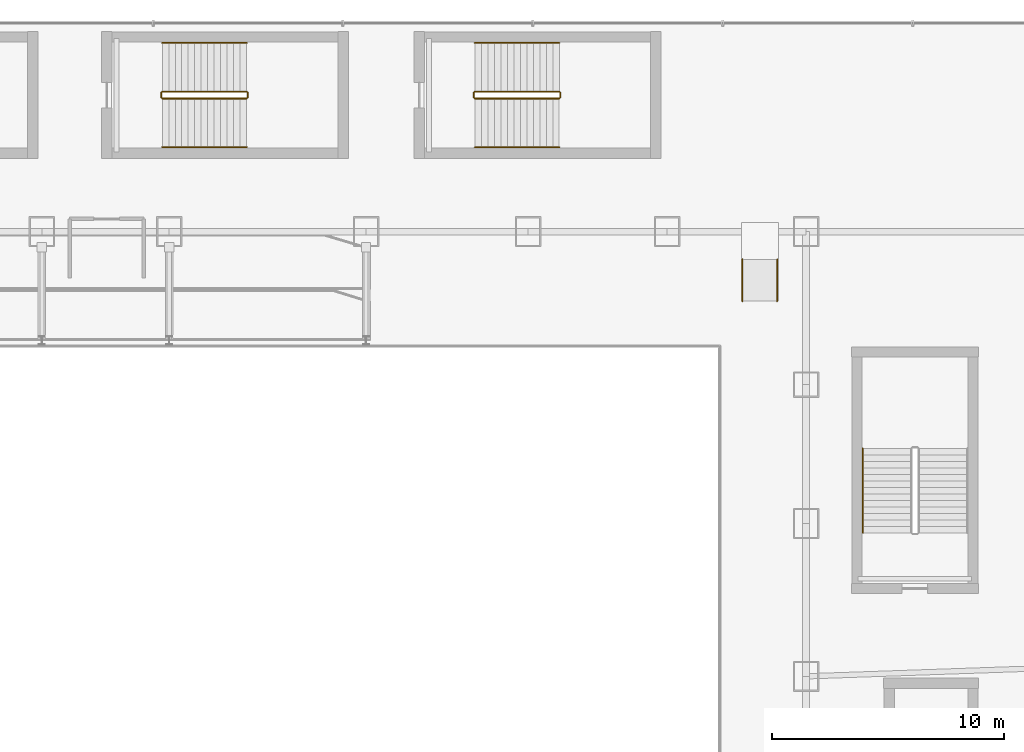
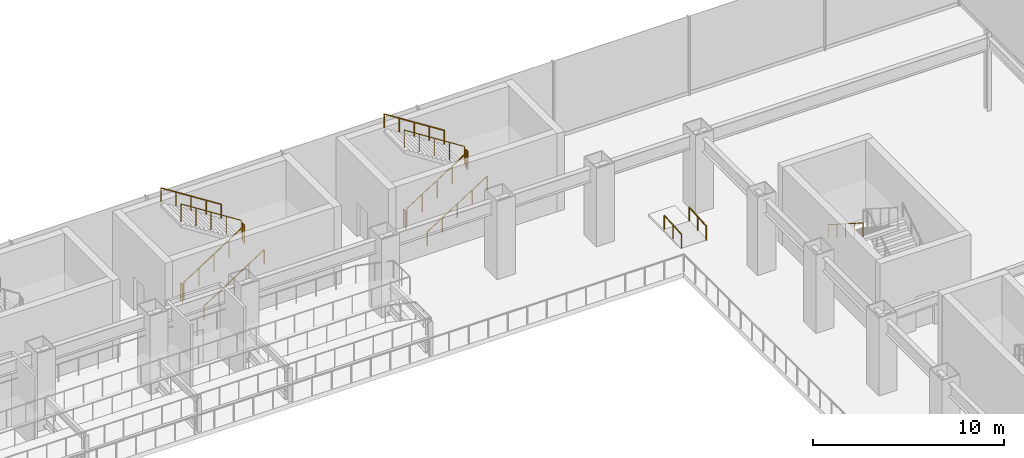
# One storey, part 37 of 39: 15 railings.
"""IFC4 building model written with IfcOpenShell, lengths in metres."""

from ifc_helpers import new_model, si_unit, derived_unit, direction, frame, origin, origin_2d, place, context, subcontext, project, spatial, circle, extrude, material, type_object, element, save


model = new_model("IFC4")

# Units and contexts
model_context = context("Model", 3, precision=1e-05, world=origin(), true_north=direction((0.0, 1.0)))
body_context = subcontext(model_context, "Body", "Model", "MODEL_VIEW")
ifc_project = project(units=[si_unit("LENGTHUNIT", "METRE"), si_unit("AREAUNIT", "SQUARE_METRE"), si_unit("VOLUMEUNIT", "CUBIC_METRE"), si_unit("PLANEANGLEUNIT", "RADIAN"), si_unit("MASSUNIT", "GRAM", prefix="KILO"), derived_unit("THERMALTRANSMITTANCEUNIT", [(si_unit("POWERUNIT", "WATT"), 1), (si_unit("LENGTHUNIT", "METRE"), -2), (si_unit("THERMODYNAMICTEMPERATUREUNIT", "KELVIN"), -1)])], contexts=[model_context])

# Site, building, storey
site_placement = place(None, origin())
site = spatial("IfcSite", under=ifc_project, at=site_placement, CompositionType="ELEMENT")
building_placement = place(site_placement, origin())
building = spatial("IfcBuilding", under=site, at=building_placement, Name="Skarnbrae Concourse Arena and Tower", CompositionType="ELEMENT")
storey_placement = place(building_placement, frame((0.0, 0.0, 16.0)))
storey = spatial("IfcBuildingStorey", under=building, at=storey_placement, Name="L03", CompositionType="ELEMENT", Elevation=16.0)

# Railings
ifc_material = material(Name="Steel CSA G40.21 350W", Category="steel")
railing_type_1 = type_object("IfcRailingType", Name="RAIL-HANDRAIL-900", PredefinedType="HANDRAIL", material=ifc_material)
railing_1_placement = place(storey_placement, frame((63.449951171875, 37.639892578125, 2.678466796875)))
element("IfcRailing", 1, at=railing_1_placement, inside=storey, type_object=railing_type_1, Name="L03 ST-A4 stair handrail 2", PredefinedType="HANDRAIL", context=body_context, shape_type="SweptSolid", body=[
    extrude(circle(Radius=0.02392578125, at=origin_2d()), frame((0.0, 0.0, 0.8759765625), z_axis=(0.0, -0.843111507901, 0.53773877045), x_axis=(1.0, 0.0, 0.0)), (0.0, 0.0, 1.0), 4.317138671875),
    extrude(circle(Radius=0.02099609375, at=origin_2d()), origin(), (0.0, 0.0, 1.0), 0.851806640625),
    extrude(circle(Radius=0.02099609375, at=origin_2d()), frame((0.0, -0.909912109375, 0.580322265625)), (0.0, 0.0, 1.0), 0.851806640625),
    extrude(circle(Radius=0.02099609375, at=origin_2d()), frame((0.0, -1.81982421875, 1.16064453125)), (0.0, 0.0, 1.0), 0.851806640625),
    extrude(circle(Radius=0.02099609375, at=origin_2d()), frame((0.0, -2.72998046875, 1.7412109375)), (0.0, 0.0, 1.0), 0.851806640625),
    extrude(circle(Radius=0.02099609375, at=origin_2d()), frame((0.0, -3.639892578125, 2.321533203125)), (0.0, 0.0, 1.0), 0.851806640625),
])
railing_2_placement = place(storey_placement, frame((33.199951171875, 50.64990234375, 0.178466796875)))
element("IfcRailing", 2, at=railing_2_placement, inside=storey, type_object=railing_type_1, Name="L03 ST-A7 stair handrail 1", PredefinedType="HANDRAIL", context=body_context, shape_type="SweptSolid", body=[
    extrude(circle(Radius=0.02392578125, at=origin_2d()), frame((0.0, 0.0, 0.8759765625), z_axis=(0.843127859045, 0.0, 0.537713132908), x_axis=(0.0, 1.0, 0.0)), (0.0, 0.0, 1.0), 4.3173828125),
    extrude(circle(Radius=0.02099609375, at=origin_2d()), origin(), (0.0, 0.0, 1.0), 0.851806640625),
    extrude(circle(Radius=0.02099609375, at=origin_2d()), frame((0.91015625, 0.0, 0.580322265625)), (0.0, 0.0, 1.0), 0.851806640625),
    extrude(circle(Radius=0.02099609375, at=origin_2d()), frame((1.820068359375, 0.0, 1.16064453125)), (0.0, 0.0, 1.0), 0.851806640625),
    extrude(circle(Radius=0.02099609375, at=origin_2d()), frame((2.72998046875, 0.0, 1.7412109375)), (0.0, 0.0, 1.0), 0.851806640625),
    extrude(circle(Radius=0.02099609375, at=origin_2d()), frame((3.64013671875, 0.0, 2.321533203125)), (0.0, 0.0, 1.0), 0.851806640625),
])
railing_3_placement = place(storey_placement, frame((36.840087890625, 55.14990234375, 2.678466796875)))
element("IfcRailing", 3, at=railing_3_placement, inside=storey, type_object=railing_type_1, Name="L03 ST-A7 stair handrail 2", PredefinedType="HANDRAIL", context=body_context, shape_type="SweptSolid", body=[
    extrude(circle(Radius=0.02392578125, at=origin_2d()), frame((0.0, 0.0, 0.8759765625), z_axis=(-0.843127859045, 0.0, 0.537713132908), x_axis=(0.0, -1.0, 0.0)), (0.0, 0.0, 1.0), 4.3173828125),
    extrude(circle(Radius=0.02099609375, at=origin_2d()), origin(), (0.0, 0.0, 1.0), 0.851806640625),
    extrude(circle(Radius=0.02099609375, at=origin_2d()), frame((-0.91015625, 0.0, 0.580322265625)), (0.0, 0.0, 1.0), 0.851806640625),
    extrude(circle(Radius=0.02099609375, at=origin_2d()), frame((-1.820068359375, 0.0, 1.16064453125)), (0.0, 0.0, 1.0), 0.851806640625),
    extrude(circle(Radius=0.02099609375, at=origin_2d()), frame((-2.72998046875, 0.0, 1.7412109375)), (0.0, 0.0, 1.0), 0.851806640625),
    extrude(circle(Radius=0.02099609375, at=origin_2d()), frame((-3.64013671875, 0.0, 2.321533203125)), (0.0, 0.0, 1.0), 0.851806640625),
])
railing_4_placement = place(storey_placement, frame((46.699951171875, 50.64990234375, 0.178466796875)))
element("IfcRailing", 4, at=railing_4_placement, inside=storey, type_object=railing_type_1, Name="L03 ST-A8 stair handrail 1", PredefinedType="HANDRAIL", context=body_context, shape_type="SweptSolid", body=[
    extrude(circle(Radius=0.02392578125, at=origin_2d()), frame((0.0, 0.0, 0.8759765625), z_axis=(0.843127859045, 0.0, 0.537713132908), x_axis=(0.0, 1.0, 0.0)), (0.0, 0.0, 1.0), 4.3173828125),
    extrude(circle(Radius=0.02099609375, at=origin_2d()), origin(), (0.0, 0.0, 1.0), 0.851806640625),
    extrude(circle(Radius=0.02099609375, at=origin_2d()), frame((0.91015625, 0.0, 0.580322265625)), (0.0, 0.0, 1.0), 0.851806640625),
    extrude(circle(Radius=0.02099609375, at=origin_2d()), frame((1.820068359375, 0.0, 1.16064453125)), (0.0, 0.0, 1.0), 0.851806640625),
    extrude(circle(Radius=0.02099609375, at=origin_2d()), frame((2.72998046875, 0.0, 1.7412109375)), (0.0, 0.0, 1.0), 0.851806640625),
    extrude(circle(Radius=0.02099609375, at=origin_2d()), frame((3.64013671875, 0.0, 2.321533203125)), (0.0, 0.0, 1.0), 0.851806640625),
])
railing_5_placement = place(storey_placement, frame((50.340087890625, 55.14990234375, 2.678466796875)))
element("IfcRailing", 5, at=railing_5_placement, inside=storey, type_object=railing_type_1, Name="L03 ST-A8 stair handrail 2", PredefinedType="HANDRAIL", context=body_context, shape_type="SweptSolid", body=[
    extrude(circle(Radius=0.02392578125, at=origin_2d()), frame((0.0, 0.0, 0.8759765625), z_axis=(-0.843127859045, 0.0, 0.537713132908), x_axis=(0.0, -1.0, 0.0)), (0.0, 0.0, 1.0), 4.3173828125),
    extrude(circle(Radius=0.02099609375, at=origin_2d()), origin(), (0.0, 0.0, 1.0), 0.851806640625),
    extrude(circle(Radius=0.02099609375, at=origin_2d()), frame((-0.91015625, 0.0, 0.580322265625)), (0.0, 0.0, 1.0), 0.851806640625),
    extrude(circle(Radius=0.02099609375, at=origin_2d()), frame((-1.820068359375, 0.0, 1.16064453125)), (0.0, 0.0, 1.0), 0.851806640625),
    extrude(circle(Radius=0.02099609375, at=origin_2d()), frame((-2.72998046875, 0.0, 1.7412109375)), (0.0, 0.0, 1.0), 0.851806640625),
    extrude(circle(Radius=0.02099609375, at=origin_2d()), frame((-3.64013671875, 0.0, 2.321533203125)), (0.0, 0.0, 1.0), 0.851806640625),
])
for number, where, name in (
    (6, (58.25, 44.0, 0.02001953125), "L03 Accessible ramp handrail W"),
    (7, (59.75, 44.0, 0.02001953125), "L03 Accessible ramp handrail E"),
):
    element("IfcRailing", number, at=place(storey_placement, frame(where)), inside=storey, type_object=railing_type_1, Name=name, PredefinedType="HANDRAIL", context=body_context, shape_type="SweptSolid", body=[
        extrude(circle(Radius=0.02392578125, at=origin_2d()), frame((0.0, 0.0, 0.8759765625), z_axis=(0.0, 0.997789945721, 0.06644715358), x_axis=(-1.0, 0.0, 0.0)), (0.0, 0.0, 1.0), 1.803955078125),
        extrude(circle(Radius=0.02099609375, at=origin_2d()), origin(), (0.0, 0.0, 1.0), 0.851806640625),
        extrude(circle(Radius=0.02099609375, at=origin_2d()), frame((0.0, 0.89990234375, 0.06005859375)), (0.0, 0.0, 1.0), 0.851806640625),
        extrude(circle(Radius=0.02099609375, at=origin_2d()), frame((0.0, 1.800048828125, 0.119873046875)), (0.0, 0.0, 1.0), 0.851806640625),
    ])
railing_type_2 = type_object("IfcRailingType", Name="RAIL-STAIR-GUARD-1150", PredefinedType="GUARDRAIL", material=ifc_material)
railing_6_placement = place(storey_placement, frame((33.199951171875, 52.75, 0.178466796875)))
element("IfcRailing", 8, at=railing_6_placement, inside=storey, type_object=railing_type_2, Name="L03 ST-A7 stair guard 1", PredefinedType="GUARDRAIL", context=body_context, shape_type="SweptSolid", body=[
    extrude(circle(Radius=0.02392578125, at=origin_2d()), frame((0.0, 0.0, 1.1259765625), z_axis=(0.843127859045, 0.0, 0.537713132908), x_axis=(0.0, 1.0, 0.0)), (0.0, 0.0, 1.0), 4.3173828125),
    extrude(circle(Radius=0.02099609375, at=origin_2d()), origin(), (0.0, 0.0, 1.0), 1.101806640625),
    extrude(circle(Radius=0.02099609375, at=origin_2d()), frame((0.91015625, 0.0, 0.580322265625)), (0.0, 0.0, 1.0), 1.101806640625),
    extrude(circle(Radius=0.02099609375, at=origin_2d()), frame((1.820068359375, 0.0, 1.16064453125)), (0.0, 0.0, 1.0), 1.101806640625),
    extrude(circle(Radius=0.02099609375, at=origin_2d()), frame((2.72998046875, 0.0, 1.7412109375)), (0.0, 0.0, 1.0), 1.101806640625),
    extrude(circle(Radius=0.02099609375, at=origin_2d()), frame((3.64013671875, 0.0, 2.321533203125)), (0.0, 0.0, 1.0), 1.101806640625),
])
railing_7_placement = place(storey_placement, frame((36.889892578125, 52.800048828125, 2.5)))
element("IfcRailing", 9, at=railing_7_placement, inside=storey, type_object=railing_type_2, Name="L03 ST-A7 stair guard 2", PredefinedType="GUARDRAIL", context=body_context, shape_type="SweptSolid", body=[
    extrude(circle(Radius=0.02392578125, at=origin_2d()), frame((0.0, 0.0, 1.1259765625), z_axis=(0.0, 1.0, 0.0), x_axis=(-1.0, 0.0, 0.0)), (0.0, 0.0, 1.0), 0.199951171875),
    extrude(circle(Radius=0.02099609375, at=origin_2d()), origin(), (0.0, 0.0, 1.0), 1.101806640625),
    extrude(circle(Radius=0.02099609375, at=origin_2d()), frame((0.0, 0.199951171875, 0.0)), (0.0, 0.0, 1.0), 1.101806640625),
])
railing_8_placement = place(storey_placement, frame((36.840087890625, 53.050048828125, 2.678466796875)))
element("IfcRailing", 10, at=railing_8_placement, inside=storey, type_object=railing_type_2, Name="L03 ST-A7 stair guard 3", PredefinedType="GUARDRAIL", context=body_context, shape_type="SweptSolid", body=[
    extrude(circle(Radius=0.02392578125, at=origin_2d()), frame((0.0, 0.0, 1.1259765625), z_axis=(-0.843127859045, 0.0, 0.537713132908), x_axis=(0.0, -1.0, 0.0)), (0.0, 0.0, 1.0), 4.3173828125),
    extrude(circle(Radius=0.02099609375, at=origin_2d()), origin(), (0.0, 0.0, 1.0), 1.101806640625),
    extrude(circle(Radius=0.02099609375, at=origin_2d()), frame((-0.91015625, 0.0, 0.580322265625)), (0.0, 0.0, 1.0), 1.101806640625),
    extrude(circle(Radius=0.02099609375, at=origin_2d()), frame((-1.820068359375, 0.0, 1.16064453125)), (0.0, 0.0, 1.0), 1.101806640625),
    extrude(circle(Radius=0.02099609375, at=origin_2d()), frame((-2.72998046875, 0.0, 1.7412109375)), (0.0, 0.0, 1.0), 1.101806640625),
    extrude(circle(Radius=0.02099609375, at=origin_2d()), frame((-3.64013671875, 0.0, 2.321533203125)), (0.0, 0.0, 1.0), 1.101806640625),
])
railing_9_placement = place(storey_placement, frame((33.14990234375, 52.800048828125, 0.0)))
element("IfcRailing", 11, at=railing_9_placement, inside=storey, type_object=railing_type_2, Name="L03 ST-A7 stair guard 4", PredefinedType="GUARDRAIL", context=body_context, shape_type="SweptSolid", body=[
    extrude(circle(Radius=0.02392578125, at=origin_2d()), frame((0.0, 0.0, 1.1259765625), z_axis=(0.0, 1.0, 0.0), x_axis=(-1.0, 0.0, 0.0)), (0.0, 0.0, 1.0), 0.199951171875),
    extrude(circle(Radius=0.02099609375, at=origin_2d()), origin(), (0.0, 0.0, 1.0), 1.101806640625),
    extrude(circle(Radius=0.02099609375, at=origin_2d()), frame((0.0, 0.199951171875, 0.0)), (0.0, 0.0, 1.0), 1.101806640625),
])
railing_10_placement = place(storey_placement, frame((46.699951171875, 52.75, 0.178466796875)))
element("IfcRailing", 12, at=railing_10_placement, inside=storey, type_object=railing_type_2, Name="L03 ST-A8 stair guard 1", PredefinedType="GUARDRAIL", context=body_context, shape_type="SweptSolid", body=[
    extrude(circle(Radius=0.02392578125, at=origin_2d()), frame((0.0, 0.0, 1.1259765625), z_axis=(0.843127859045, 0.0, 0.537713132908), x_axis=(0.0, 1.0, 0.0)), (0.0, 0.0, 1.0), 4.3173828125),
    extrude(circle(Radius=0.02099609375, at=origin_2d()), origin(), (0.0, 0.0, 1.0), 1.101806640625),
    extrude(circle(Radius=0.02099609375, at=origin_2d()), frame((0.91015625, 0.0, 0.580322265625)), (0.0, 0.0, 1.0), 1.101806640625),
    extrude(circle(Radius=0.02099609375, at=origin_2d()), frame((1.820068359375, 0.0, 1.16064453125)), (0.0, 0.0, 1.0), 1.101806640625),
    extrude(circle(Radius=0.02099609375, at=origin_2d()), frame((2.72998046875, 0.0, 1.7412109375)), (0.0, 0.0, 1.0), 1.101806640625),
    extrude(circle(Radius=0.02099609375, at=origin_2d()), frame((3.64013671875, 0.0, 2.321533203125)), (0.0, 0.0, 1.0), 1.101806640625),
])
railing_11_placement = place(storey_placement, frame((50.389892578125, 52.800048828125, 2.5)))
element("IfcRailing", 13, at=railing_11_placement, inside=storey, type_object=railing_type_2, Name="L03 ST-A8 stair guard 2", PredefinedType="GUARDRAIL", context=body_context, shape_type="SweptSolid", body=[
    extrude(circle(Radius=0.02392578125, at=origin_2d()), frame((0.0, 0.0, 1.1259765625), z_axis=(0.0, 1.0, 0.0), x_axis=(-1.0, 0.0, 0.0)), (0.0, 0.0, 1.0), 0.199951171875),
    extrude(circle(Radius=0.02099609375, at=origin_2d()), origin(), (0.0, 0.0, 1.0), 1.101806640625),
    extrude(circle(Radius=0.02099609375, at=origin_2d()), frame((0.0, 0.199951171875, 0.0)), (0.0, 0.0, 1.0), 1.101806640625),
])
railing_12_placement = place(storey_placement, frame((50.340087890625, 53.050048828125, 2.678466796875)))
element("IfcRailing", 14, at=railing_12_placement, inside=storey, type_object=railing_type_2, Name="L03 ST-A8 stair guard 3", PredefinedType="GUARDRAIL", context=body_context, shape_type="SweptSolid", body=[
    extrude(circle(Radius=0.02392578125, at=origin_2d()), frame((0.0, 0.0, 1.1259765625), z_axis=(-0.843127859045, 0.0, 0.537713132908), x_axis=(0.0, -1.0, 0.0)), (0.0, 0.0, 1.0), 4.3173828125),
    extrude(circle(Radius=0.02099609375, at=origin_2d()), origin(), (0.0, 0.0, 1.0), 1.101806640625),
    extrude(circle(Radius=0.02099609375, at=origin_2d()), frame((-0.91015625, 0.0, 0.580322265625)), (0.0, 0.0, 1.0), 1.101806640625),
    extrude(circle(Radius=0.02099609375, at=origin_2d()), frame((-1.820068359375, 0.0, 1.16064453125)), (0.0, 0.0, 1.0), 1.101806640625),
    extrude(circle(Radius=0.02099609375, at=origin_2d()), frame((-2.72998046875, 0.0, 1.7412109375)), (0.0, 0.0, 1.0), 1.101806640625),
    extrude(circle(Radius=0.02099609375, at=origin_2d()), frame((-3.64013671875, 0.0, 2.321533203125)), (0.0, 0.0, 1.0), 1.101806640625),
])
railing_13_placement = place(storey_placement, frame((46.64990234375, 52.800048828125, 0.0)))
element("IfcRailing", 15, at=railing_13_placement, inside=storey, type_object=railing_type_2, Name="L03 ST-A8 stair guard 4", PredefinedType="GUARDRAIL", context=body_context, shape_type="SweptSolid", body=[
    extrude(circle(Radius=0.02392578125, at=origin_2d()), frame((0.0, 0.0, 1.1259765625), z_axis=(0.0, 1.0, 0.0), x_axis=(-1.0, 0.0, 0.0)), (0.0, 0.0, 1.0), 0.199951171875),
    extrude(circle(Radius=0.02099609375, at=origin_2d()), origin(), (0.0, 0.0, 1.0), 1.101806640625),
    extrude(circle(Radius=0.02099609375, at=origin_2d()), frame((0.0, 0.199951171875, 0.0)), (0.0, 0.0, 1.0), 1.101806640625),
])

save(model, "model.ifc")
